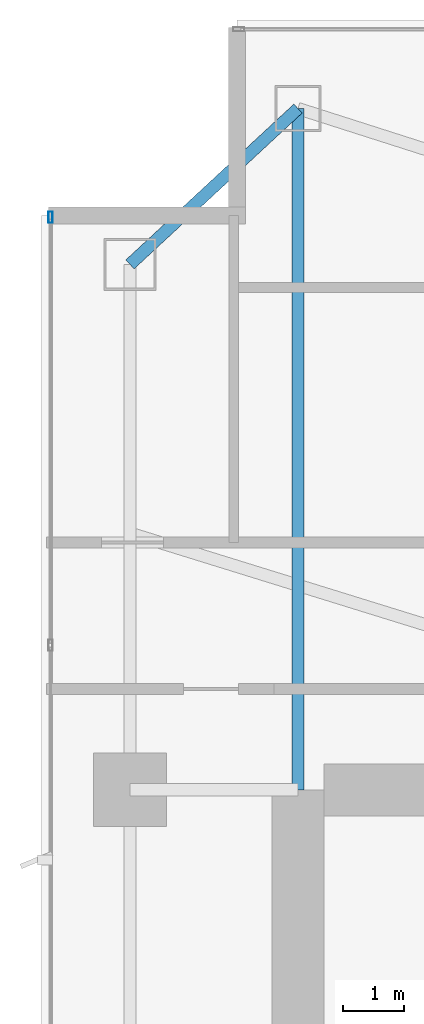
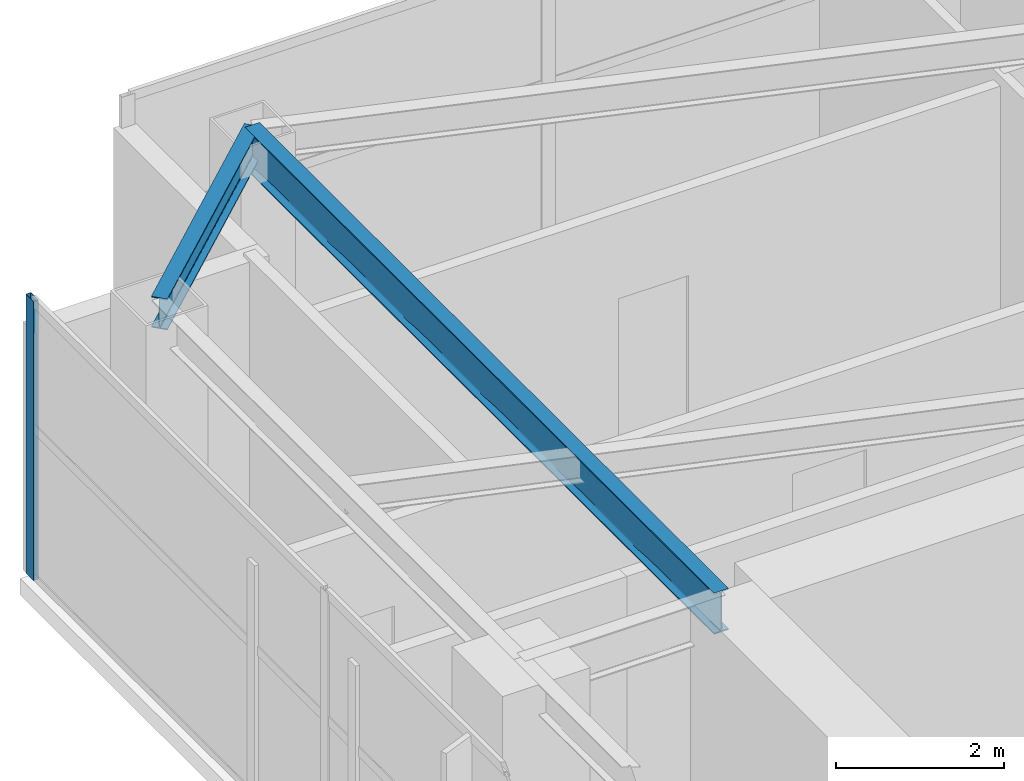
# One storey, part 18 of 30: 2 beams, 1 member, 1 element without a shape of its own.
"""IFC4 building model written with IfcOpenShell, lengths in metres."""

from ifc_helpers import new_model, si_unit, direction, frame, origin, origin_2d, place, context, subcontext, project, spatial, hollow_rectangle, i_section, extrude, material, layer, layer_set, material_profile, profile_set, type_object, element, aggregate, save


model = new_model("IFC4")

# Units and contexts
model_context = context("Model", 3, precision=1e-05, world=origin(), true_north=direction((0.0, 1.0)))
body_context = subcontext(model_context, "Body", "Model", "MODEL_VIEW")
ifc_project = project(units=[si_unit("LENGTHUNIT", "METRE"), si_unit("AREAUNIT", "SQUARE_METRE"), si_unit("VOLUMEUNIT", "CUBIC_METRE"), si_unit("PLANEANGLEUNIT", "RADIAN"), si_unit("MASSUNIT", "GRAM", prefix="KILO")], contexts=[model_context])

# Site, building, storey
site_placement = place(None, origin())
site = spatial("IfcSite", under=ifc_project, at=site_placement, CompositionType="ELEMENT")
building_placement = place(site_placement, origin())
building = spatial("IfcBuilding", under=site, at=building_placement, Name="Calvorn Quay Hotel", CompositionType="ELEMENT")
storey_placement = place(building_placement, frame((0.0, 0.0, 195.10009765625)))
storey = spatial("IfcBuildingStorey", under=building, at=storey_placement, Name="L48", CompositionType="ELEMENT", Elevation=195.10009765625)

# Beams
ifc_material_1 = material(Name="Steel Q355B", Category="steel")
ifc_material_profile_1 = material_profile(ifc_material_1, i_section(OverallWidth=0.199951171875, OverallDepth=0.60009765625, WebThickness=0.010986328125, FlangeThickness=0.01708984375, FilletRadius=0.01806640625, at=origin_2d()), Name="HN600x200x11x17")
ifc_profile_set_1 = profile_set([ifc_material_profile_1], Name="Steel Q355B")
beam_type_1 = type_object("IfcBeamType", Name="BM-GIRD-TYP", PredefinedType="BEAM", material=ifc_profile_set_1)
beam_1_placement = place(storey_placement, frame((4.199951171875, 49.550048828125, 3.75), z_axis=(0.0, -1.0, 0.0), x_axis=(1.0, 0.0, 0.0)))
element("IfcBeam", 1, at=beam_1_placement, inside=storey, type_object=beam_type_1, Name="Beam BG-L48-W5", PredefinedType="BEAM", context=body_context, shape_type="SweptSolid", body=[
    extrude(i_section(OverallWidth=0.199951171875, OverallDepth=0.60009765625, WebThickness=0.010986328125, FlangeThickness=0.01708984375, FilletRadius=0.01806640625, at=origin_2d()), origin(), (0.0, 0.0, 1.0), 11.150146484375),
])
ifc_material_2 = material(Name="Steel Q355B", Category="steel")
ifc_material_profile_2 = material_profile(ifc_material_2, i_section(OverallWidth=0.199951171875, OverallDepth=0.449951171875, WebThickness=0.009033203125, FlangeThickness=0.013916015625, FilletRadius=0.01611328125, at=origin_2d()), Name="HN450x200x9x14")
ifc_profile_set_2 = profile_set([ifc_material_profile_2], Name="Steel Q355B")
beam_type_2 = type_object("IfcBeamType", Name="BM-SPANDREL-Z3", PredefinedType="SPANDREL", material=ifc_profile_set_2)
beam_2_placement = place(storey_placement, frame((1.449951171875, 47.0, 3.824951171875), z_axis=(0.733261665538, 0.679946563969, 0.0), x_axis=(-0.679946563969, 0.733261665538, 0.0)))
element("IfcBeam", 2, at=beam_2_placement, inside=storey, type_object=beam_type_2, Name="Beam BSP-L48-W5", PredefinedType="SPANDREL", context=body_context, shape_type="SweptSolid", body=[
    extrude(i_section(OverallWidth=0.199951171875, OverallDepth=0.449951171875, WebThickness=0.009033203125, FlangeThickness=0.013916015625, FilletRadius=0.01611328125, at=origin_2d()), origin(), (0.0, 0.0, 1.0), 3.75048828125),
])

# Curtain wall, member
ifc_material_3 = material(Name="Champagne Bronze Anodised Aluminium and Low-E Glass", Category="aluminium")
ifc_layer = layer(ifc_material_3, 0.219970703125)
ifc_layer_set = layer_set([ifc_layer], Name="CW-SYS-Z3")
curtain_wall_type = type_object("IfcCurtainWallType", Name="CW-SYS-Z3", PredefinedType="NOTDEFINED", material=ifc_layer_set)
curtain_wall_placement = place(storey_placement, origin())
curtain_wall = element("IfcCurtainWall", 3, at=curtain_wall_placement, inside=storey, type_object=curtain_wall_type, Name="Tower West Curtain Wall (L48)", PredefinedType="NOTDEFINED")
ifc_material_4 = material(Name="Champagne Bronze Anodised Aluminium 6063-T6", Category="aluminium")
ifc_material_profile_3 = material_profile(ifc_material_4, hollow_rectangle(XDim=0.068115234375, YDim=0.18505859375, WallThickness=0.00390625, at=origin_2d()), Name="ALU-M185x68x4")
ifc_profile_set_3 = profile_set([ifc_material_profile_3], Name="Champagne Bronze Anodised Aluminium 6063-T6")
member_type = type_object("IfcMemberType", Name="CW-SYS-Z3-MUL", PredefinedType="MULLION", material=ifc_profile_set_3)
member_placement = place(storey_placement, frame((0.14990234375, 47.77001953125, 0.0), z_axis=(0.0, 0.0, 1.0), x_axis=(-1.0, 0.0, 0.0)))
member = element("IfcMember", 4, at=member_placement, type_object=member_type, Name="CW-L48-W mullion 7", PredefinedType="MULLION", context=body_context, shape_type="SweptSolid", body=[
    extrude(hollow_rectangle(XDim=0.068115234375, YDim=0.18505859375, WallThickness=0.00390625, at=origin_2d()), origin(), (0.0, 0.0, 1.0), 4.0498046875),
])
aggregate(curtain_wall, [member])

save(model, "model.ifc")
